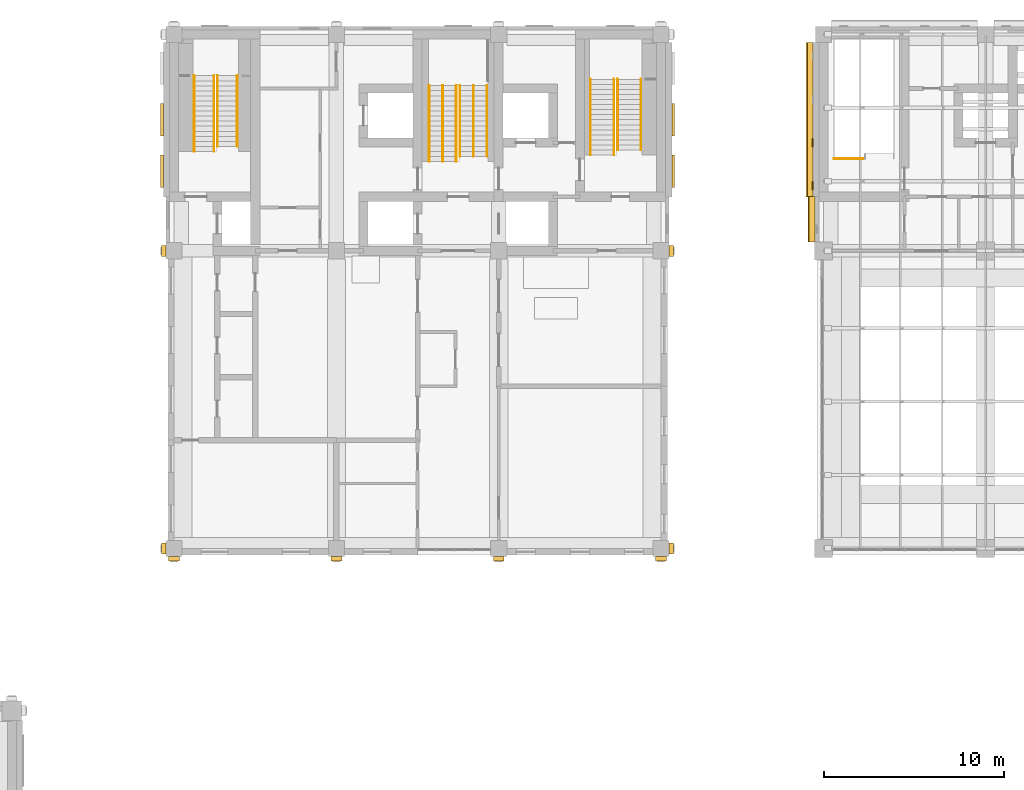
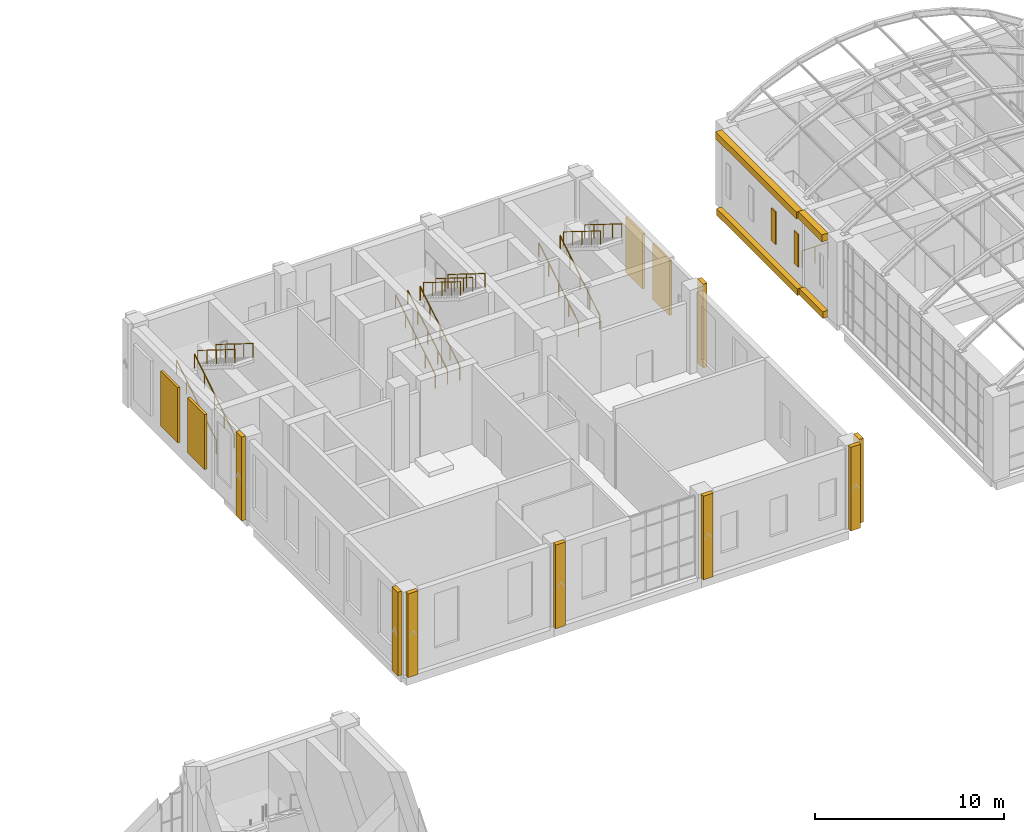
# One storey, part 34 of 39: 18 coverings, 15 railings.
"""IFC4 building model written with IfcOpenShell, lengths in metres."""

from ifc_helpers import new_model, si_unit, direction, frame, origin, origin_2d, place, context, subcontext, project, spatial, rectangle, circle, extrude, material, layer, layer_set, type_object, element, save


model = new_model("IFC4")

# Units and contexts
model_context = context("Model", 3, precision=1e-05, world=origin(), true_north=direction((0.0, 1.0)))
body_context = subcontext(model_context, "Body", "Model", "MODEL_VIEW")
ifc_project = project(units=[si_unit("LENGTHUNIT", "METRE"), si_unit("AREAUNIT", "SQUARE_METRE"), si_unit("VOLUMEUNIT", "CUBIC_METRE"), si_unit("PLANEANGLEUNIT", "RADIAN"), si_unit("MASSUNIT", "GRAM", prefix="KILO")], contexts=[model_context])

# Site, building, storey
site_placement = place(None, origin())
site = spatial("IfcSite", under=ifc_project, at=site_placement, CompositionType="ELEMENT")
building_placement = place(site_placement, origin())
building = spatial("IfcBuilding", under=site, at=building_placement, Name="Aurelan Courthouse", CompositionType="ELEMENT")
storey_placement = place(building_placement, frame((0.0, 0.0, 28.199951171875)))
storey = spatial("IfcBuildingStorey", under=building, at=storey_placement, Name="L05", CompositionType="ELEMENT", Elevation=28.199951171875)

# Coverings
ifc_material_1 = material(Name="Limestone cladding", Category="masonry")
covering_type_1 = type_object("IfcCoveringType", Name="Courtroom Block pilaster fin 600 x 250", PredefinedType="CLADDING", material=ifc_material_1)
for number, where, z_axis, x_axis, name in (
    (1, (36.0, 36.925048828125, 0.0), (0.0, 0.0, 1.0), (1.0, 0.0, 0.0), "Pilaster fin FN-V2-040"),
    (2, (45.0, 36.925048828125, 0.0), (0.0, 0.0, 1.0), (1.0, 0.0, 0.0), "Pilaster fin FN-V2-041"),
    (3, (54.0, 36.925048828125, 0.0), (0.0, 0.0, 1.0), (1.0, 0.0, 0.0), "Pilaster fin FN-V2-042"),
    (4, (63.0, 36.925048828125, 0.0), (0.0, 0.0, 1.0), (1.0, 0.0, 0.0), "Pilaster fin FN-V2-043"),
):
    element("IfcCovering", number, at=place(storey_placement, frame(where, z_axis=z_axis, x_axis=x_axis)), inside=storey, type_object=covering_type_1, Name=name, PredefinedType="CLADDING", context=body_context, shape_type="SweptSolid", body=[
        extrude(rectangle(XDim=0.60009765625, YDim=0.25, at=origin_2d()), origin(), (0.0, 0.0, 1.0), 5.39990234375),
    ])
for number, where, z_axis, x_axis, name in (
    (5, (63.574951171875, 37.5, 0.0), (0.0, 0.0, 1.0), (1.0, 0.0, 0.0), "Pilaster fin FN-V2-048"),
    (6, (63.574951171875, 54.0, 0.0), (0.0, 0.0, 1.0), (1.0, 0.0, 0.0), "Pilaster fin FN-V2-049"),
    (7, (35.425048828125, 37.5, 0.0), (0.0, 0.0, 1.0), (1.0, 0.0, 0.0), "Pilaster fin FN-V2-051"),
    (8, (35.425048828125, 54.0, 0.0), (0.0, 0.0, 1.0), (1.0, 0.0, 0.0), "Pilaster fin FN-V2-052"),
):
    element("IfcCovering", number, at=place(storey_placement, frame(where, z_axis=z_axis, x_axis=x_axis)), inside=storey, type_object=covering_type_1, Name=name, PredefinedType="CLADDING", context=body_context, shape_type="SweptSolid", body=[
        extrude(rectangle(XDim=0.25, YDim=0.60009765625, at=origin_2d()), origin(), (0.0, 0.0, 1.0), 5.39990234375),
    ])
ifc_material_2 = material(Name="Bronze sheet cladding")
ifc_layer_1 = layer(ifc_material_2, 0.06005859375)
ifc_layer_set_1 = layer_set([ifc_layer_1], Name="Bronze sheet cladding")
covering_type_2 = type_object("IfcCoveringType", Name="Law Library blind bay 450 x 2100", PredefinedType="CLADDING", material=ifc_layer_set_1)
for number, where, z_axis, x_axis, name in (
    (9, (71.39990234375, 57.60009765625, 1.5), (0.0, 0.0, 1.0), (1.0, 0.0, 0.0), "Blind bay BB-V3-L05-013"),
    (10, (71.39990234375, 60.0, 1.5), (0.0, 0.0, 1.0), (1.0, 0.0, 0.0), "Blind bay BB-V3-L05-014"),
):
    element("IfcCovering", number, at=place(storey_placement, frame(where, z_axis=z_axis, x_axis=x_axis)), inside=storey, type_object=covering_type_2, Name=name, PredefinedType="CLADDING", context=body_context, shape_type="SweptSolid", body=[
        extrude(rectangle(XDim=0.06005859375, YDim=0.449951171875, at=origin_2d()), origin(), (0.0, 0.0, 1.0), 2.10009765625),
    ])
covering_type_3 = type_object("IfcCoveringType", Name="Law Library cornice 450 x 380", PredefinedType="CLADDING", material=ifc_material_1)
covering_1_placement = place(storey_placement, frame((71.340087890625, 55.75, 4.9501953125), z_axis=(0.0, 0.0, 1.0), x_axis=(1.0, 0.0, 0.0)))
element("IfcCovering", 11, at=covering_1_placement, inside=storey, type_object=covering_type_3, Name="Cornice CRN-V3-002", PredefinedType="CLADDING", context=body_context, shape_type="SweptSolid", body=[
    extrude(rectangle(XDim=0.3798828125, YDim=2.5, at=origin_2d()), origin(), (0.0, 0.0, 1.0), 0.449951171875),
])
covering_2_placement = place(storey_placement, frame((71.239990234375, 61.27490234375, 4.9501953125), z_axis=(0.0, 0.0, 1.0), x_axis=(1.0, 0.0, 0.0)))
element("IfcCovering", 12, at=covering_2_placement, inside=storey, type_object=covering_type_3, Name="Cornice CRN-V3-003", PredefinedType="CLADDING", context=body_context, shape_type="SweptSolid", body=[
    extrude(rectangle(XDim=0.3798828125, YDim=8.550048828125, at=origin_2d()), origin(), (0.0, 0.0, 1.0), 0.449951171875),
])
covering_type_4 = type_object("IfcCoveringType", Name="Law Library string course 420 x 320", PredefinedType="CLADDING", material=ifc_material_1)
covering_3_placement = place(storey_placement, frame((71.3701171875, 55.75, 0.0), z_axis=(0.0, 0.0, 1.0), x_axis=(1.0, 0.0, 0.0)))
element("IfcCovering", 13, at=covering_3_placement, inside=storey, type_object=covering_type_4, Name="String course SC-V3-012", PredefinedType="CLADDING", context=body_context, shape_type="SweptSolid", body=[
    extrude(rectangle(XDim=0.320068359375, YDim=2.5, at=origin_2d()), origin(), (0.0, 0.0, 1.0), 0.419921875),
])
covering_4_placement = place(storey_placement, frame((71.27001953125, 61.27490234375, 0.0), z_axis=(0.0, 0.0, 1.0), x_axis=(1.0, 0.0, 0.0)))
element("IfcCovering", 14, at=covering_4_placement, inside=storey, type_object=covering_type_4, Name="String course SC-V3-013", PredefinedType="CLADDING", context=body_context, shape_type="SweptSolid", body=[
    extrude(rectangle(XDim=0.320068359375, YDim=8.550048828125, at=origin_2d()), origin(), (0.0, 0.0, 1.0), 0.419921875),
])
ifc_layer_2 = layer(ifc_material_2, 0.14990234375)
ifc_layer_set_2 = layer_set([ifc_layer_2], Name="Bronze sheet cladding")
covering_type_5 = type_object("IfcCoveringType", Name="Relief panel 1800 x 3550 x 150", PredefinedType="CLADDING", material=ifc_layer_set_2)
for number, where, z_axis, x_axis, name in (
    (15, (35.324951171875, 58.425048828125, 1.0), (0.0, 0.0, 1.0), (1.0, 0.0, 0.0), "Relief panel RP-V2-030"),
    (16, (35.324951171875, 61.27490234375, 1.0), (0.0, 0.0, 1.0), (1.0, 0.0, 0.0), "Relief panel RP-V2-031"),
    (17, (63.675048828125, 58.425048828125, 1.0), (0.0, 0.0, 1.0), (1.0, 0.0, 0.0), "Relief panel RP-V2-033"),
    (18, (63.675048828125, 61.27490234375, 1.0), (0.0, 0.0, 1.0), (1.0, 0.0, 0.0), "Relief panel RP-V2-034"),
):
    element("IfcCovering", number, at=place(storey_placement, frame(where, z_axis=z_axis, x_axis=x_axis)), inside=storey, type_object=covering_type_5, Name=name, PredefinedType="CLADDING", context=body_context, shape_type="SweptSolid", body=[
        extrude(rectangle(XDim=0.14990234375, YDim=1.800048828125, at=origin_2d()), origin(), (0.0, 0.0, 1.0), 3.550048828125),
    ])

# Railings
ifc_material_3 = material(Name="Steel S355", Category="steel")
railing_type_1 = type_object("IfcRailingType", Name="Stair guard 1100", PredefinedType="GUARDRAIL", material=ifc_material_3)
railing_placement = place(storey_placement, frame((74.199951171875, 59.110107421875, 0.0)))
element("IfcRailing", 19, at=railing_placement, inside=storey, type_object=railing_type_1, Name="Guard ST-3A-L05-G1", PredefinedType="GUARDRAIL", context=body_context, shape_type="SweptSolid", body=[
    extrude(circle(Radius=0.02392578125, at=origin_2d()), frame((0.0, 0.0, 1.076171875), z_axis=(-1.0, 0.0, 0.0), x_axis=(0.0, -1.0, 0.0)), (0.0, 0.0, 1.0), 1.599853515625),
    extrude(circle(Radius=0.02099609375, at=origin_2d()), origin(), (0.0, 0.0, 1.0), 1.052001953125),
    extrude(circle(Radius=0.02099609375, at=origin_2d()), frame((-0.7998046875, 0.0, 0.0)), (0.0, 0.0, 1.0), 1.052001953125),
    extrude(circle(Radius=0.02099609375, at=origin_2d()), frame((-1.599853515625, 0.0, 0.0)), (0.0, 0.0, 1.0), 1.052001953125),
])
railing_type_2 = type_object("IfcRailingType", Name="Stair handrail 900", PredefinedType="HANDRAIL", material=ifc_material_3)
for number, where, name in (
    (20, (37.110107421875, 59.510009765625, 0.17431640625), "Handrail CS-2-L05-H1"),
    (21, (38.2099609375, 59.510009765625, 0.17431640625), "Handrail CS-2-L05-H2"),
):
    element("IfcRailing", number, at=place(storey_placement, frame(where)), inside=storey, type_object=railing_type_2, Name=name, PredefinedType="HANDRAIL", context=body_context, shape_type="SweptSolid", body=[
        extrude(circle(Radius=0.02392578125, at=origin_2d()), frame((0.0, 0.0, 0.8759765625), z_axis=(0.0, 0.849102848233, 0.528227558088), x_axis=(-1.0, 0.0, 0.0)), (0.0, 0.0, 1.0), 4.9462890625),
        extrude(circle(Radius=0.02099609375, at=origin_2d()), origin(), (0.0, 0.0, 1.0), 0.851806640625),
        extrude(circle(Radius=0.02099609375, at=origin_2d()), frame((0.0, 1.050048828125, 0.6533203125)), (0.0, 0.0, 1.0), 0.851806640625),
        extrude(circle(Radius=0.02099609375, at=origin_2d()), frame((0.0, 2.10009765625, 1.306396484375)), (0.0, 0.0, 1.0), 0.851806640625),
        extrude(circle(Radius=0.02099609375, at=origin_2d()), frame((0.0, 3.14990234375, 1.95947265625)), (0.0, 0.0, 1.0), 0.851806640625),
        extrude(circle(Radius=0.02099609375, at=origin_2d()), frame((0.0, 4.199951171875, 2.61279296875)), (0.0, 0.0, 1.0), 0.851806640625),
    ])
for number, where, name in (
    (22, (38.409912109375, 63.7099609375, 2.96142578125), "Handrail CS-2-L05-H3"),
    (23, (39.510009765625, 63.7099609375, 2.96142578125), "Handrail CS-2-L05-H4"),
):
    element("IfcRailing", number, at=place(storey_placement, frame(where)), inside=storey, type_object=railing_type_2, Name=name, PredefinedType="HANDRAIL", context=body_context, shape_type="SweptSolid", body=[
        extrude(circle(Radius=0.02392578125, at=origin_2d()), frame((0.0, 0.0, 0.8759765625), z_axis=(0.0, -0.849089811655, 0.528248513243), x_axis=(1.0, 0.0, 0.0)), (0.0, 0.0, 1.0), 4.61669921875),
        extrude(circle(Radius=0.02099609375, at=origin_2d()), origin(), (0.0, 0.0, 1.0), 0.851806640625),
        extrude(circle(Radius=0.02099609375, at=origin_2d()), frame((0.0, -0.97998046875, 0.609619140625)), (0.0, 0.0, 1.0), 0.851806640625),
        extrude(circle(Radius=0.02099609375, at=origin_2d()), frame((0.0, -1.9599609375, 1.21923828125)), (0.0, 0.0, 1.0), 0.851806640625),
        extrude(circle(Radius=0.02099609375, at=origin_2d()), frame((0.0, -2.93994140625, 1.8291015625)), (0.0, 0.0, 1.0), 0.851806640625),
        extrude(circle(Radius=0.02099609375, at=origin_2d()), frame((0.0, -3.919921875, 2.438720703125)), (0.0, 0.0, 1.0), 0.851806640625),
    ])
for number, where, name in (
    (24, (50.14990234375, 58.9599609375, 0.17431640625), "Handrail ST-2A-L05-H1"),
    (25, (51.64990234375, 58.9599609375, 0.17431640625), "Handrail ST-2A-L05-H2"),
    (26, (50.89990234375, 58.9599609375, 0.17431640625), "Handrail ST-2A-L05-H3"),
):
    element("IfcRailing", number, at=place(storey_placement, frame(where)), inside=storey, type_object=railing_type_2, Name=name, PredefinedType="HANDRAIL", context=body_context, shape_type="SweptSolid", body=[
        extrude(circle(Radius=0.02392578125, at=origin_2d()), frame((0.0, 0.0, 0.8759765625), z_axis=(0.0, 0.849102848233, 0.528227558088), x_axis=(-1.0, 0.0, 0.0)), (0.0, 0.0, 1.0), 4.9462890625),
        extrude(circle(Radius=0.02099609375, at=origin_2d()), origin(), (0.0, 0.0, 1.0), 0.851806640625),
        extrude(circle(Radius=0.02099609375, at=origin_2d()), frame((0.0, 1.050048828125, 0.6533203125)), (0.0, 0.0, 1.0), 0.851806640625),
        extrude(circle(Radius=0.02099609375, at=origin_2d()), frame((0.0, 2.10009765625, 1.306396484375)), (0.0, 0.0, 1.0), 0.851806640625),
        extrude(circle(Radius=0.02099609375, at=origin_2d()), frame((0.0, 3.14990234375, 1.95947265625)), (0.0, 0.0, 1.0), 0.851806640625),
        extrude(circle(Radius=0.02099609375, at=origin_2d()), frame((0.0, 4.199951171875, 2.61279296875)), (0.0, 0.0, 1.0), 0.851806640625),
    ])
for number, where, name in (
    (27, (51.85009765625, 63.159912109375, 2.96142578125), "Handrail ST-2A-L05-H4"),
    (28, (53.35009765625, 63.159912109375, 2.96142578125), "Handrail ST-2A-L05-H5"),
    (29, (52.60009765625, 63.159912109375, 2.96142578125), "Handrail ST-2A-L05-H6"),
):
    element("IfcRailing", number, at=place(storey_placement, frame(where)), inside=storey, type_object=railing_type_2, Name=name, PredefinedType="HANDRAIL", context=body_context, shape_type="SweptSolid", body=[
        extrude(circle(Radius=0.02392578125, at=origin_2d()), frame((0.0, 0.0, 0.8759765625), z_axis=(0.0, -0.849089811655, 0.528248513243), x_axis=(1.0, 0.0, 0.0)), (0.0, 0.0, 1.0), 4.61669921875),
        extrude(circle(Radius=0.02099609375, at=origin_2d()), origin(), (0.0, 0.0, 1.0), 0.851806640625),
        extrude(circle(Radius=0.02099609375, at=origin_2d()), frame((0.0, -0.97998046875, 0.609619140625)), (0.0, 0.0, 1.0), 0.851806640625),
        extrude(circle(Radius=0.02099609375, at=origin_2d()), frame((0.0, -1.9599609375, 1.21923828125)), (0.0, 0.0, 1.0), 0.851806640625),
        extrude(circle(Radius=0.02099609375, at=origin_2d()), frame((0.0, -2.93994140625, 1.8291015625)), (0.0, 0.0, 1.0), 0.851806640625),
        extrude(circle(Radius=0.02099609375, at=origin_2d()), frame((0.0, -3.919921875, 2.438720703125)), (0.0, 0.0, 1.0), 0.851806640625),
    ])
for number, where, name in (
    (30, (59.090087890625, 59.31005859375, 0.17431640625), "Handrail ST-2E-L05-H1"),
    (31, (60.389892578125, 59.31005859375, 0.17431640625), "Handrail ST-2E-L05-H2"),
):
    element("IfcRailing", number, at=place(storey_placement, frame(where)), inside=storey, type_object=railing_type_2, Name=name, PredefinedType="HANDRAIL", context=body_context, shape_type="SweptSolid", body=[
        extrude(circle(Radius=0.02392578125, at=origin_2d()), frame((0.0, 0.0, 0.8759765625), z_axis=(0.0, 0.849102848233, 0.528227558088), x_axis=(-1.0, 0.0, 0.0)), (0.0, 0.0, 1.0), 4.9462890625),
        extrude(circle(Radius=0.02099609375, at=origin_2d()), origin(), (0.0, 0.0, 1.0), 0.851806640625),
        extrude(circle(Radius=0.02099609375, at=origin_2d()), frame((0.0, 1.050048828125, 0.6533203125)), (0.0, 0.0, 1.0), 0.851806640625),
        extrude(circle(Radius=0.02099609375, at=origin_2d()), frame((0.0, 2.10009765625, 1.306396484375)), (0.0, 0.0, 1.0), 0.851806640625),
        extrude(circle(Radius=0.02099609375, at=origin_2d()), frame((0.0, 3.14990234375, 1.95947265625)), (0.0, 0.0, 1.0), 0.851806640625),
        extrude(circle(Radius=0.02099609375, at=origin_2d()), frame((0.0, 4.199951171875, 2.61279296875)), (0.0, 0.0, 1.0), 0.851806640625),
    ])
for number, where, name in (
    (32, (60.590087890625, 63.510009765625, 2.96142578125), "Handrail ST-2E-L05-H3"),
    (33, (61.889892578125, 63.510009765625, 2.96142578125), "Handrail ST-2E-L05-H4"),
):
    element("IfcRailing", number, at=place(storey_placement, frame(where)), inside=storey, type_object=railing_type_2, Name=name, PredefinedType="HANDRAIL", context=body_context, shape_type="SweptSolid", body=[
        extrude(circle(Radius=0.02392578125, at=origin_2d()), frame((0.0, 0.0, 0.8759765625), z_axis=(0.0, -0.849089811655, 0.528248513243), x_axis=(1.0, 0.0, 0.0)), (0.0, 0.0, 1.0), 4.61669921875),
        extrude(circle(Radius=0.02099609375, at=origin_2d()), origin(), (0.0, 0.0, 1.0), 0.851806640625),
        extrude(circle(Radius=0.02099609375, at=origin_2d()), frame((0.0, -0.97998046875, 0.609619140625)), (0.0, 0.0, 1.0), 0.851806640625),
        extrude(circle(Radius=0.02099609375, at=origin_2d()), frame((0.0, -1.9599609375, 1.21923828125)), (0.0, 0.0, 1.0), 0.851806640625),
        extrude(circle(Radius=0.02099609375, at=origin_2d()), frame((0.0, -2.93994140625, 1.8291015625)), (0.0, 0.0, 1.0), 0.851806640625),
        extrude(circle(Radius=0.02099609375, at=origin_2d()), frame((0.0, -3.919921875, 2.438720703125)), (0.0, 0.0, 1.0), 0.851806640625),
    ])

save(model, "model.ifc")
